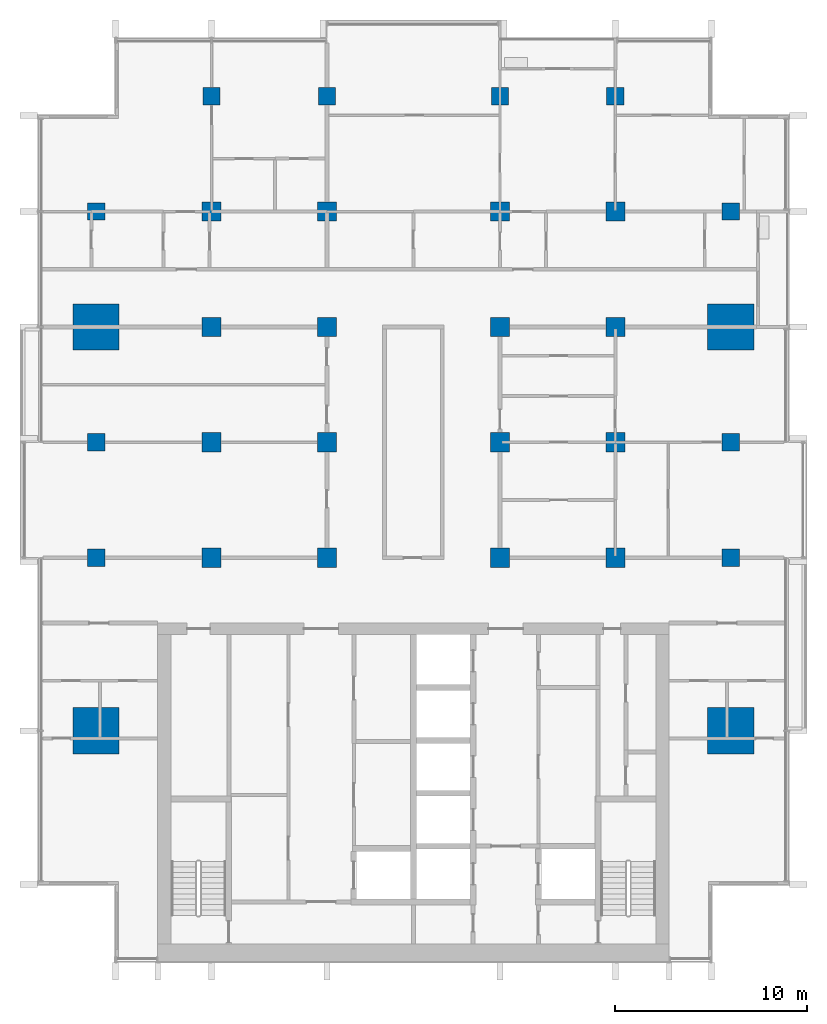
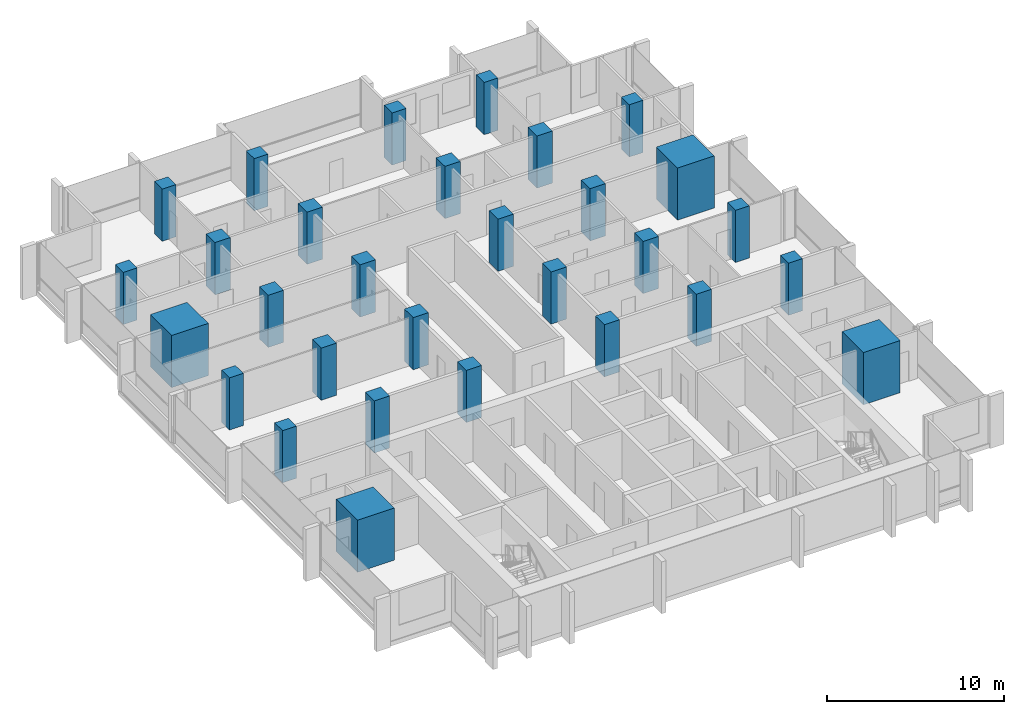
# One storey, part 1 of 16: 30 columns.
"""IFC4 building model written with IfcOpenShell, lengths in metres."""

from ifc_helpers import new_model, si_unit, direction, frame, origin, origin_2d, place, context, subcontext, project, spatial, rectangle, extrude, material, material_profile, profile_set, type_object, element, save


model = new_model("IFC4")

# Units and contexts
model_context = context("Model", 3, precision=1e-05, world=origin(), true_north=direction((0.0, 1.0)))
body_context = subcontext(model_context, "Body", "Model", "MODEL_VIEW")
ifc_project = project(units=[si_unit("LENGTHUNIT", "METRE"), si_unit("AREAUNIT", "SQUARE_METRE"), si_unit("VOLUMEUNIT", "CUBIC_METRE"), si_unit("PLANEANGLEUNIT", "RADIAN"), si_unit("MASSUNIT", "GRAM", prefix="KILO")], contexts=[model_context])

# Site, building, storey
site_placement = place(None, origin())
site = spatial("IfcSite", under=ifc_project, at=site_placement, CompositionType="ELEMENT")
building_placement = place(site_placement, origin())
building = spatial("IfcBuilding", under=site, at=building_placement, Name="Finial Court Residences", CompositionType="ELEMENT")
storey_placement = place(building_placement, frame((0.0, 0.0, 156.5)))
storey = spatial("IfcBuildingStorey", under=building, at=storey_placement, Name="L38", CompositionType="ELEMENT", Elevation=156.5)

# Columns
ifc_material = material(Name="Concrete C60/75", Category="concrete")
ifc_material_profile_1 = material_profile(ifc_material, rectangle(XDim=1.0, YDim=1.0, at=origin_2d()), Name="1000x1000")
ifc_profile_set_1 = profile_set([ifc_material_profile_1], Name="Concrete C60/75")
column_type_1 = type_object("IfcColumnType", Name="Interior column 1000x1000 Concrete C60/75", PredefinedType="COLUMN", material=ifc_profile_set_1)
for number, where, z_axis, x_axis, name in (
    (1, (-10.5, -4.5, 0.0), (0.0, 0.0, 1.0), (1.0, 0.0, 0.0), "S:COL:L38:D4"),
    (2, (-10.5, 1.5, 0.0), (0.0, 0.0, 1.0), (1.0, 0.0, 0.0), "S:COL:L38:D5"),
    (3, (-10.5, 7.5, 0.0), (0.0, 0.0, 1.0), (1.0, 0.0, 0.0), "S:COL:L38:D6"),
    (4, (-10.5, 13.5, 0.0), (0.0, 0.0, 1.0), (1.0, 0.0, 0.0), "S:COL:L38:D7"),
    (5, (-4.5, -4.5, 0.0), (0.0, 0.0, 1.0), (1.0, 0.0, 0.0), "S:COL:L38:E4"),
    (6, (-4.5, 1.5, 0.0), (0.0, 0.0, 1.0), (1.0, 0.0, 0.0), "S:COL:L38:E5"),
    (7, (-4.5, 7.5, 0.0), (0.0, 0.0, 1.0), (1.0, 0.0, 0.0), "S:COL:L38:E6"),
    (8, (-4.5, 13.5, 0.0), (0.0, 0.0, 1.0), (1.0, 0.0, 0.0), "S:COL:L38:E7"),
    (9, (4.5, -4.5, 0.0), (0.0, 0.0, 1.0), (1.0, 0.0, 0.0), "S:COL:L38:F4"),
    (10, (4.5, 1.5, 0.0), (0.0, 0.0, 1.0), (1.0, 0.0, 0.0), "S:COL:L38:F5"),
    (11, (4.5, 7.5, 0.0), (0.0, 0.0, 1.0), (1.0, 0.0, 0.0), "S:COL:L38:F6"),
    (12, (4.5, 13.5, 0.0), (0.0, 0.0, 1.0), (1.0, 0.0, 0.0), "S:COL:L38:F7"),
    (13, (10.5, -4.5, 0.0), (0.0, 0.0, 1.0), (1.0, 0.0, 0.0), "S:COL:L38:G4"),
    (14, (10.5, 1.5, 0.0), (0.0, 0.0, 1.0), (1.0, 0.0, 0.0), "S:COL:L38:G5"),
    (15, (10.5, 7.5, 0.0), (0.0, 0.0, 1.0), (1.0, 0.0, 0.0), "S:COL:L38:G6"),
    (16, (10.5, 13.5, 0.0), (0.0, 0.0, 1.0), (1.0, 0.0, 0.0), "S:COL:L38:G7"),
):
    element("IfcColumn", number, at=place(storey_placement, frame(where, z_axis=z_axis, x_axis=x_axis)), inside=storey, type_object=column_type_1, Name=name, PredefinedType="COLUMN", context=body_context, shape_type="SweptSolid", body=[
        extrude(rectangle(XDim=1.0, YDim=1.0, at=origin_2d()), origin(), (0.0, 0.0, 1.0), 3.60009765625),
    ])
ifc_material_profile_2 = material_profile(ifc_material, rectangle(XDim=2.39990234375, YDim=2.39990234375, at=origin_2d()), Name="2400x2400")
ifc_profile_set_2 = profile_set([ifc_material_profile_2], Name="Concrete C60/75")
column_type_2 = type_object("IfcColumnType", Name="Mega column 2400x2400 Concrete C60/75", PredefinedType="COLUMN", material=ifc_profile_set_2)
for number, where, z_axis, x_axis, name in (
    (17, (-16.5, -13.5, 0.0), (0.0, 0.0, 1.0), (1.0, 0.0, 0.0), "S:COL:L38:C3"),
    (18, (-16.5, 7.5, 0.0), (0.0, 0.0, 1.0), (1.0, 0.0, 0.0), "S:COL:L38:C6"),
    (19, (16.5, -13.5, 0.0), (0.0, 0.0, 1.0), (1.0, 0.0, 0.0), "S:COL:L38:H3"),
    (20, (16.5, 7.5, 0.0), (0.0, 0.0, 1.0), (1.0, 0.0, 0.0), "S:COL:L38:H6"),
):
    element("IfcColumn", number, at=place(storey_placement, frame(where, z_axis=z_axis, x_axis=x_axis)), inside=storey, type_object=column_type_2, Name=name, PredefinedType="COLUMN", context=body_context, shape_type="SweptSolid", body=[
        extrude(rectangle(XDim=2.39990234375, YDim=2.39990234375, at=origin_2d()), origin(), (0.0, 0.0, 1.0), 3.60009765625),
    ])
ifc_material_profile_3 = material_profile(ifc_material, rectangle(XDim=0.89990234375, YDim=0.89990234375, at=origin_2d()), Name="900x900")
ifc_profile_set_3 = profile_set([ifc_material_profile_3], Name="Concrete C60/75")
column_type_3 = type_object("IfcColumnType", Name="Perimeter column 900x900 Concrete C60/75", PredefinedType="COLUMN", material=ifc_profile_set_3)
for number, where, z_axis, x_axis, name in (
    (21, (-16.5, -4.5, 0.0), (0.0, 0.0, 1.0), (1.0, 0.0, 0.0), "S:COL:L38:C4"),
    (22, (-16.5, 1.5, 0.0), (0.0, 0.0, 1.0), (1.0, 0.0, 0.0), "S:COL:L38:C5"),
    (23, (-16.5, 13.5, 0.0), (0.0, 0.0, 1.0), (1.0, 0.0, 0.0), "S:COL:L38:C7"),
    (24, (-10.5, 19.5, 0.0), (0.0, 0.0, 1.0), (1.0, 0.0, 0.0), "S:COL:L38:D8"),
    (25, (-4.5, 19.5, 0.0), (0.0, 0.0, 1.0), (1.0, 0.0, 0.0), "S:COL:L38:E8"),
    (26, (4.5, 19.5, 0.0), (0.0, 0.0, 1.0), (1.0, 0.0, 0.0), "S:COL:L38:F8"),
    (27, (10.5, 19.5, 0.0), (0.0, 0.0, 1.0), (1.0, 0.0, 0.0), "S:COL:L38:G8"),
    (28, (16.5, -4.5, 0.0), (0.0, 0.0, 1.0), (1.0, 0.0, 0.0), "S:COL:L38:H4"),
    (29, (16.5, 1.5, 0.0), (0.0, 0.0, 1.0), (1.0, 0.0, 0.0), "S:COL:L38:H5"),
    (30, (16.5, 13.5, 0.0), (0.0, 0.0, 1.0), (1.0, 0.0, 0.0), "S:COL:L38:H7"),
):
    element("IfcColumn", number, at=place(storey_placement, frame(where, z_axis=z_axis, x_axis=x_axis)), inside=storey, type_object=column_type_3, Name=name, PredefinedType="COLUMN", context=body_context, shape_type="SweptSolid", body=[
        extrude(rectangle(XDim=0.89990234375, YDim=0.89990234375, at=origin_2d()), origin(), (0.0, 0.0, 1.0), 3.60009765625),
    ])

save(model, "model.ifc")
